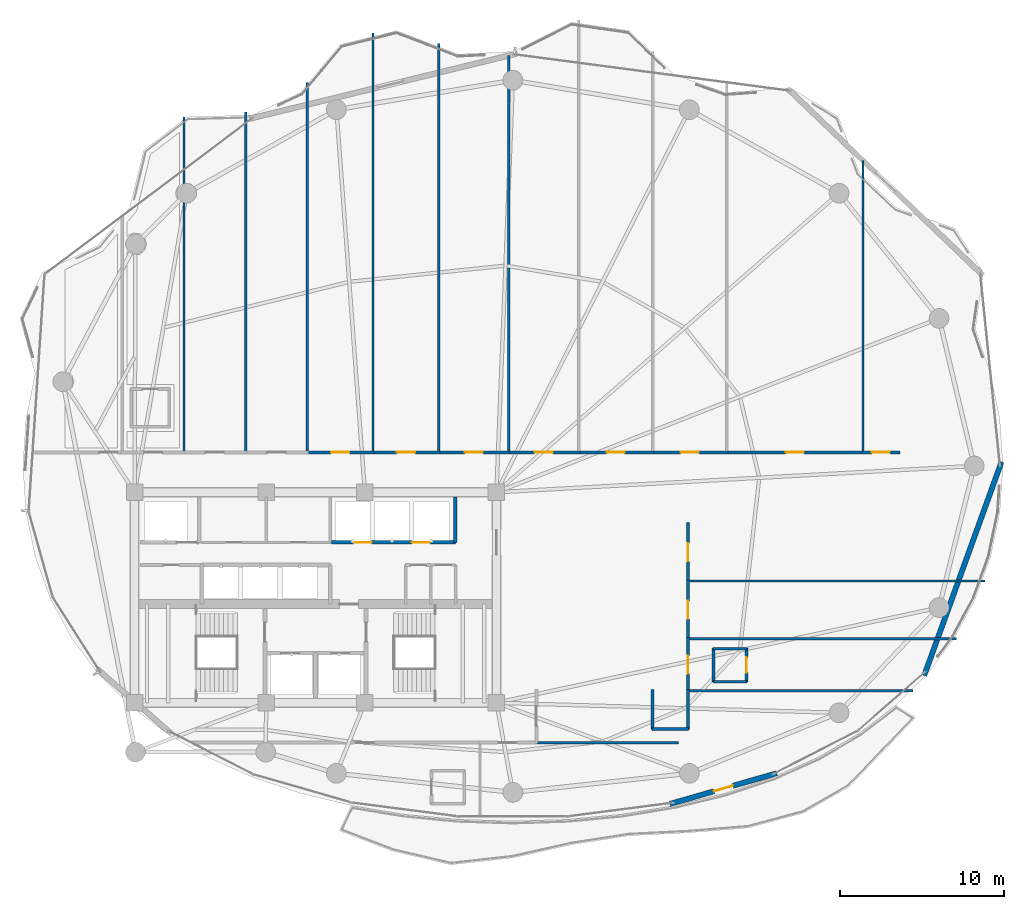
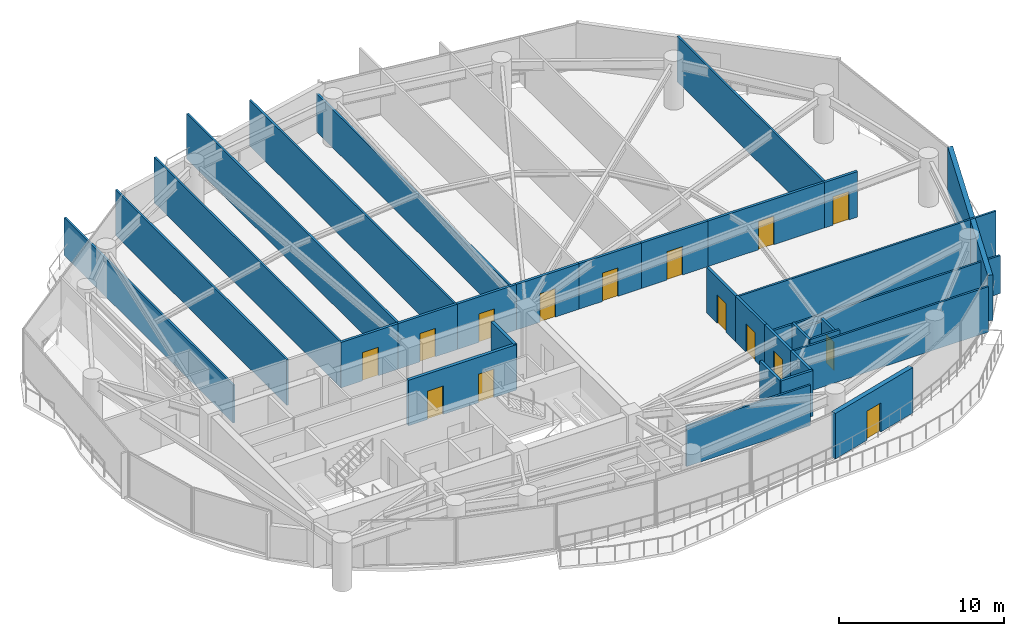
# One storey, part 26 of 31: 33 walls, 15 doors, 15 openings.
"""IFC4 building model written with IfcOpenShell, lengths in metres."""

from ifc_helpers import new_model, si_unit, direction, frame, frame_2d, origin, place, context, subcontext, project, spatial, rectangle, extrude, material, layer, layer_set, type_object, element, fill, save


model = new_model("IFC4")

# Units and contexts
model_context = context("Model", 3, precision=1e-05, world=origin(), true_north=direction((0.0, 1.0)))
body_context = subcontext(model_context, "Body", "Model", "MODEL_VIEW")
ifc_project = project(units=[si_unit("LENGTHUNIT", "METRE"), si_unit("AREAUNIT", "SQUARE_METRE"), si_unit("VOLUMEUNIT", "CUBIC_METRE"), si_unit("PLANEANGLEUNIT", "RADIAN"), si_unit("MASSUNIT", "GRAM", prefix="KILO")], contexts=[model_context])

# Site, building, storey
site_placement = place(None, origin())
site = spatial("IfcSite", under=ifc_project, at=site_placement, CompositionType="ELEMENT")
building_placement = place(site_placement, origin())
building = spatial("IfcBuilding", under=site, at=building_placement, Name="Kazevale Care Tower and Concert Hall", CompositionType="ELEMENT")
storey_placement = place(building_placement, frame((0.0, 0.0, 117.0)))
storey = spatial("IfcBuildingStorey", under=building, at=storey_placement, Name="L30", CompositionType="ELEMENT", Elevation=117.0)

# Walls
ifc_material_1 = material(Name="Acoustic Gypsum on Steel Stud", Category="steel")
ifc_layer_1 = layer(ifc_material_1, 0.139892578125)
ifc_layer_set_1 = layer_set([ifc_layer_1], Name="Acoustic Gypsum on Steel Stud")
wall_type_1 = type_object("IfcWallType", Name="Acoustic Care & Suite Partition 140", PredefinedType="PARTITIONING", material=ifc_layer_set_1)
wall_1_placement = place(storey_placement, frame((25.0, 59.22412109375, 0.0), z_axis=(0.0, 0.0, 1.0), x_axis=(0.0, -1.0, 0.0)))
element("IfcWall", 1, at=wall_1_placement, inside=storey, type_object=wall_type_1, Name="wall:L30:auto_023", PredefinedType="PARTITIONING", context=body_context, shape_type="SweptSolid", body=[
    extrude(rectangle(XDim=20.42919921875, YDim=0.139892578125, at=frame_2d((10.214599609375, 0.0))), origin(), (0.0, 0.0, 1.0), 2.805908203125),
])
wall_2_placement = place(storey_placement, frame((28.75, 59.52587890625, 0.0), z_axis=(0.0, 0.0, 1.0), x_axis=(0.0, -1.0, 0.0)))
element("IfcWall", 2, at=wall_2_placement, inside=storey, type_object=wall_type_1, Name="wall:L30:auto_024", PredefinedType="PARTITIONING", context=body_context, shape_type="SweptSolid", body=[
    extrude(rectangle(XDim=20.73095703125, YDim=0.139892578125, at=frame_2d((10.365478515625, 0.0))), origin(), (0.0, 0.0, 1.0), 3.360107421875),
])
wall_3_placement = place(storey_placement, frame((32.5, 61.318115234375, 0.0), z_axis=(0.0, 0.0, 1.0), x_axis=(0.0, -1.0, 0.0)))
element("IfcWall", 3, at=wall_3_placement, inside=storey, type_object=wall_type_1, Name="wall:L30:auto_025", PredefinedType="PARTITIONING", context=body_context, shape_type="SweptSolid", body=[
    extrude(rectangle(XDim=22.523193359375, YDim=0.139892578125, at=frame_2d((11.26171875, 0.0))), origin(), (0.0, 0.0, 1.0), 3.360107421875),
])
wall_4_placement = place(storey_placement, frame((36.5, 64.31005859375, 0.0), z_axis=(0.0, 0.0, 1.0), x_axis=(0.0, -1.0, 0.0)))
element("IfcWall", 4, at=wall_4_placement, inside=storey, type_object=wall_type_1, Name="wall:L30:auto_026", PredefinedType="PARTITIONING", context=body_context, shape_type="SweptSolid", body=[
    extrude(rectangle(XDim=25.51513671875, YDim=0.139892578125, at=frame_2d((12.757568359375, 0.0))), origin(), (0.0, 0.0, 1.0), 3.360107421875),
])
wall_5_placement = place(storey_placement, frame((40.5, 63.674072265625, 0.0), z_axis=(0.0, 0.0, 1.0), x_axis=(0.0, -1.0, 0.0)))
element("IfcWall", 5, at=wall_5_placement, inside=storey, type_object=wall_type_1, Name="wall:L30:auto_027", PredefinedType="PARTITIONING", context=body_context, shape_type="SweptSolid", body=[
    extrude(rectangle(XDim=24.879150390625, YDim=0.139892578125, at=frame_2d((12.439453125, 0.0))), origin(), (0.0, 0.0, 1.0), 3.360107421875),
])
wall_6_placement = place(storey_placement, frame((44.75, 62.939453125, 0.0), z_axis=(0.0, 0.0, 1.0), x_axis=(0.0, -1.0, 0.0)))
element("IfcWall", 6, at=wall_6_placement, inside=storey, type_object=wall_type_1, Name="wall:L30:auto_028", PredefinedType="PARTITIONING", context=body_context, shape_type="SweptSolid", body=[
    extrude(rectangle(XDim=24.14453125, YDim=0.139892578125, at=frame_2d((12.072265625, 0.0))), origin(), (0.0, 0.0, 1.0), 2.805908203125),
])
wall_7_placement = place(storey_placement, frame((66.280029296875, 56.5556640625, 0.0), z_axis=(0.0, 0.0, 1.0), x_axis=(0.0, -1.0, 0.0)))
element("IfcWall", 7, at=wall_7_placement, inside=storey, type_object=wall_type_1, Name="wall:L30:auto_032", PredefinedType="PARTITIONING", context=body_context, shape_type="SweptSolid", body=[
    extrude(rectangle(XDim=17.7607421875, YDim=0.139892578125, at=frame_2d((8.88037109375, 0.0))), origin(), (0.0, 0.0, 1.0), 3.360107421875),
])
wall_8_placement = place(storey_placement, frame((55.6201171875, 24.340087890625, 0.0), z_axis=(0.0, 0.0, 1.0), x_axis=(1.0, 0.0, 0.0)))
element("IfcWall", 8, at=wall_8_placement, inside=storey, type_object=wall_type_1, Name="wall:L30:auto_033", PredefinedType="PARTITIONING", context=body_context, shape_type="SweptSolid", body=[
    extrude(rectangle(XDim=13.69580078125, YDim=0.139892578125, at=frame_2d((6.847900390625, 0.0))), origin(), (0.0, 0.0, 1.0), 3.360107421875),
])
wall_9_placement = place(storey_placement, frame((55.06494140625, 21.175048828125, 0.0), z_axis=(0.0, 0.0, 1.0), x_axis=(-1.0, 0.0, 0.0)))
element("IfcWall", 9, at=wall_9_placement, inside=storey, type_object=wall_type_1, Name="wall:L30:auto_034", PredefinedType="PARTITIONING", context=body_context, shape_type="SweptSolid", body=[
    extrude(rectangle(XDim=8.669921875, YDim=0.139892578125, at=frame_2d((4.3349609375, 0.0))), origin(), (0.0, 0.0, 1.0), 2.99609375),
])
wall_10_placement = place(storey_placement, frame((55.6201171875, 27.5, 0.0), z_axis=(0.0, 0.0, 1.0), x_axis=(1.0, 0.0, 0.0)))
element("IfcWall", 10, at=wall_10_placement, inside=storey, type_object=wall_type_1, Name="wall:L30:auto_035", PredefinedType="PARTITIONING", context=body_context, shape_type="SweptSolid", body=[
    extrude(rectangle(XDim=16.345947265625, YDim=0.139892578125, at=frame_2d((8.1728515625, 0.0))), origin(), (0.0, 0.0, 1.0), 2.805908203125),
])
wall_11_placement = place(storey_placement, frame((55.6201171875, 31.0, 0.0), z_axis=(0.0, 0.0, 1.0), x_axis=(1.0, 0.0, 0.0)))
element("IfcWall", 11, at=wall_11_placement, inside=storey, type_object=wall_type_1, Name="wall:L30:auto_036", PredefinedType="PARTITIONING", context=body_context, shape_type="SweptSolid", body=[
    extrude(rectangle(XDim=18.082763671875, YDim=0.139892578125, at=frame_2d((9.04150390625, 0.0))), origin(), (0.0, 0.0, 1.0), 3.360107421875),
])

# Wall, openings, doors
ifc_material_2 = material(Name="Concrete C40", Category="concrete")
ifc_layer_2 = layer(ifc_material_2, 0.219970703125)
ifc_layer_set_2 = layer_set([ifc_layer_2], Name="Concrete C40")
wall_type_2 = type_object("IfcWallType", Name="Elevator Hoistway Shaft Wall 220", PredefinedType="SOLIDWALL", material=ifc_layer_set_2)
wall_12_placement = place(storey_placement, frame((33.97998046875, 33.35009765625, 0.0), z_axis=(0.0, 0.0, 1.0), x_axis=(1.0, 0.0, 0.0)))
wall_12 = element("IfcWall", 12, at=wall_12_placement, inside=storey, type_object=wall_type_2, Name="wall:L30:c_pm_s", PredefinedType="SOLIDWALL", context=body_context, shape_type="SweptSolid", body=[
    extrude(rectangle(XDim=7.5400390625, YDim=0.219970703125, at=frame_2d((3.77001953125, 0.0))), origin(), (0.0, 0.0, 1.0), 3.360107421875),
])
opening_1_placement = place(wall_12_placement, frame((1.3349609375, 0.0, 0.0)))
opening_1 = element("IfcOpeningElement", 13, at=opening_1_placement, cuts=wall_12, Name="Opening LD-PAX", PredefinedType="OPENING", context=body_context, shape_type="SweptSolid", body=[
    extrude(rectangle(XDim=1.10009765625, YDim=2.10009765625, at=frame_2d((0.550048828125, 1.050048828125))), frame((0.0, 0.119873046875, 0.0), z_axis=(0.0, -1.0, 0.0), x_axis=(1.0, 0.0, 0.0)), (0.0, 0.0, 1.0), 0.239990234375),
])
opening_2_placement = place(wall_12_placement, frame((4.87890625, 0.0, 0.0)))
opening_2 = element("IfcOpeningElement", 14, at=opening_2_placement, cuts=wall_12, Name="Opening LD-PAX", PredefinedType="OPENING", context=body_context, shape_type="SweptSolid", body=[
    extrude(rectangle(XDim=1.10009765625, YDim=2.10009765625, at=frame_2d((0.550048828125, 1.050048828125))), frame((0.0, 0.119873046875, 0.0), z_axis=(0.0, -1.0, 0.0), x_axis=(1.0, 0.0, 0.0)), (0.0, 0.0, 1.0), 0.239990234375),
])
ifc_material_3 = material(Name="Stainless Steel 316", Category="steel")
door_type_1 = type_object("IfcDoorType", Name="Passenger Lift Sliding Landing Door 1100x2100", OperationType="NOTDEFINED", PredefinedType="DOOR", material=ifc_material_3)
door_1_placement = place(opening_1_placement, origin())
door_1 = element("IfcDoor", 15, at=door_1_placement, inside=storey, type_object=door_type_1, Name="door:L30:ld_pm1", OperationType="SLIDING_TO_LEFT", OverallHeight=2.10009765625, OverallWidth=1.10009765625, PredefinedType="DOOR", context=body_context, shape_type="SweptSolid", body=[
    extrude(rectangle(XDim=1.10009765625, YDim=2.10009765625, at=frame_2d((0.550048828125, 1.050048828125))), frame((0.0, 0.02490234375, 0.0), z_axis=(0.0, -1.0, 0.0), x_axis=(1.0, 0.0, 0.0)), (0.0, 0.0, 1.0), 0.050048828125),
])
fill(opening_1, door_1)
door_2_placement = place(opening_2_placement, origin())
door_2 = element("IfcDoor", 16, at=door_2_placement, inside=storey, type_object=door_type_1, Name="door:L30:ld_pm2", OperationType="SLIDING_TO_RIGHT", OverallHeight=2.10009765625, OverallWidth=1.10009765625, PredefinedType="DOOR", context=body_context, shape_type="SweptSolid", body=[
    extrude(rectangle(XDim=1.10009765625, YDim=2.10009765625, at=frame_2d((0.550048828125, 1.050048828125))), frame((0.0, 0.02490234375, 0.0), z_axis=(0.0, -1.0, 0.0), x_axis=(1.0, 0.0, 0.0)), (0.0, 0.0, 1.0), 0.050048828125),
])
fill(opening_2, door_2)

# Wall
wall_13_placement = place(storey_placement, frame((41.5, 33.35009765625, 0.0), z_axis=(0.0, 0.0, 1.0), x_axis=(0.0, 1.0, 0.0)))
element("IfcWall", 17, at=wall_13_placement, inside=storey, type_object=wall_type_2, Name="wall:L30:c_pm_e", PredefinedType="SOLIDWALL", context=body_context, shape_type="SweptSolid", body=[
    extrude(rectangle(XDim=2.75, YDim=0.219970703125, at=frame_2d((1.375, 0.0))), origin(), (0.0, 0.0, 1.0), 3.360107421875),
])

# Wall, opening, door
ifc_material_4 = material(Name="Concrete C40 and Acoustic Gypsum", Category="concrete")
ifc_layer_3 = layer(ifc_material_4, 0.179931640625)
ifc_layer_set_3 = layer_set([ifc_layer_3], Name="Concrete C40 and Acoustic Gypsum")
wall_type_3 = type_object("IfcWallType", Name="Fire-Rated Corridor & Party Wall 180", PredefinedType="PARTITIONING", material=ifc_layer_set_3)
wall_14_placement = place(storey_placement, frame((32.43505859375, 38.824951171875, 0.0), z_axis=(0.0, 0.0, 1.0), x_axis=(1.0, 0.0, 0.0)))
wall_14 = element("IfcWall", 18, at=wall_14_placement, inside=storey, type_object=wall_type_3, Name="wall:L30:auto_005", PredefinedType="PARTITIONING", context=body_context, shape_type="SweptSolid", body=[
    extrude(rectangle(XDim=4.1298828125, YDim=0.179931640625, at=frame_2d((2.06494140625, 0.0))), origin(), (0.0, 0.0, 1.0), 3.360107421875),
])
opening_3_placement = place(wall_14_placement, frame((1.514892578125, 0.0, 0.0)))
opening_3 = element("IfcOpeningElement", 19, at=opening_3_placement, cuts=wall_14, Name="Opening ID-1100", PredefinedType="OPENING", context=body_context, shape_type="SweptSolid", body=[
    extrude(rectangle(XDim=1.10009765625, YDim=2.10009765625, at=frame_2d((0.550048828125, 1.050048828125))), frame((0.0, 0.099853515625, 0.0), z_axis=(0.0, -1.0, 0.0), x_axis=(1.0, 0.0, 0.0)), (0.0, 0.0, 1.0), 0.199951171875),
])
ifc_material_5 = material(Name="Oak Timber Fire Leaf", Category="wood")
door_type_2 = type_object("IfcDoorType", Name="Care Bedroom Accessible Door 1100x2100", OperationType="NOTDEFINED", PredefinedType="DOOR", material=ifc_material_5)
door_3_placement = place(opening_3_placement, origin())
door_3 = element("IfcDoor", 20, at=door_3_placement, inside=storey, type_object=door_type_2, Name="door:L30:ad_005", OperationType="SINGLE_SWING_LEFT", OverallHeight=2.10009765625, OverallWidth=1.10009765625, PredefinedType="DOOR", context=body_context, shape_type="SweptSolid", body=[
    extrude(rectangle(XDim=1.10009765625, YDim=2.10009765625, at=frame_2d((0.550048828125, 1.050048828125))), frame((0.0, 0.02490234375, 0.0), z_axis=(0.0, -1.0, 0.0), x_axis=(1.0, 0.0, 0.0)), (0.0, 0.0, 1.0), 0.050048828125),
])
fill(opening_3, door_3)

wall_15_placement = place(storey_placement, frame((36.43505859375, 38.824951171875, 0.0), z_axis=(0.0, 0.0, 1.0), x_axis=(1.0, 0.0, 0.0)))
wall_15 = element("IfcWall", 21, at=wall_15_placement, inside=storey, type_object=wall_type_3, Name="wall:L30:auto_006", PredefinedType="PARTITIONING", context=body_context, shape_type="SweptSolid", body=[
    extrude(rectangle(XDim=4.1298828125, YDim=0.179931640625, at=frame_2d((2.06494140625, 0.0))), origin(), (0.0, 0.0, 1.0), 3.360107421875),
])
opening_4_placement = place(wall_15_placement, frame((1.514892578125, 0.0, 0.0)))
opening_4 = element("IfcOpeningElement", 22, at=opening_4_placement, cuts=wall_15, Name="Opening ID-1100", PredefinedType="OPENING", context=body_context, shape_type="SweptSolid", body=[
    extrude(rectangle(XDim=1.10009765625, YDim=2.10009765625, at=frame_2d((0.550048828125, 1.050048828125))), frame((0.0, 0.099853515625, 0.0), z_axis=(0.0, -1.0, 0.0), x_axis=(1.0, 0.0, 0.0)), (0.0, 0.0, 1.0), 0.199951171875),
])
door_4_placement = place(opening_4_placement, origin())
door_4 = element("IfcDoor", 23, at=door_4_placement, inside=storey, type_object=door_type_2, Name="door:L30:ad_006", OperationType="SINGLE_SWING_LEFT", OverallHeight=2.10009765625, OverallWidth=1.10009765625, PredefinedType="DOOR", context=body_context, shape_type="SweptSolid", body=[
    extrude(rectangle(XDim=1.10009765625, YDim=2.10009765625, at=frame_2d((0.550048828125, 1.050048828125))), frame((0.0, 0.02490234375, 0.0), z_axis=(0.0, -1.0, 0.0), x_axis=(1.0, 0.0, 0.0)), (0.0, 0.0, 1.0), 0.050048828125),
])
fill(opening_4, door_4)

wall_16_placement = place(storey_placement, frame((40.43505859375, 38.824951171875, 0.0), z_axis=(0.0, 0.0, 1.0), x_axis=(1.0, 0.0, 0.0)))
wall_16 = element("IfcWall", 24, at=wall_16_placement, inside=storey, type_object=wall_type_3, Name="wall:L30:auto_007", PredefinedType="PARTITIONING", context=body_context, shape_type="SweptSolid", body=[
    extrude(rectangle(XDim=4.3798828125, YDim=0.179931640625, at=frame_2d((2.18994140625, 0.0))), origin(), (0.0, 0.0, 1.0), 3.360107421875),
])
opening_5_placement = place(wall_16_placement, frame((1.639892578125, 0.0, 0.0)))
opening_5 = element("IfcOpeningElement", 25, at=opening_5_placement, cuts=wall_16, Name="Opening ID-1100", PredefinedType="OPENING", context=body_context, shape_type="SweptSolid", body=[
    extrude(rectangle(XDim=1.10009765625, YDim=2.10009765625, at=frame_2d((0.550048828125, 1.050048828125))), frame((0.0, 0.099853515625, 0.0), z_axis=(0.0, -1.0, 0.0), x_axis=(1.0, 0.0, 0.0)), (0.0, 0.0, 1.0), 0.199951171875),
])
door_5_placement = place(opening_5_placement, origin())
door_5 = element("IfcDoor", 26, at=door_5_placement, inside=storey, type_object=door_type_2, Name="door:L30:ad_007", OperationType="SINGLE_SWING_LEFT", OverallHeight=2.10009765625, OverallWidth=1.10009765625, PredefinedType="DOOR", context=body_context, shape_type="SweptSolid", body=[
    extrude(rectangle(XDim=1.10009765625, YDim=2.10009765625, at=frame_2d((0.550048828125, 1.050048828125))), frame((0.0, 0.02490234375, 0.0), z_axis=(0.0, -1.0, 0.0), x_axis=(1.0, 0.0, 0.0)), (0.0, 0.0, 1.0), 0.050048828125),
])
fill(opening_5, door_5)

wall_17_placement = place(storey_placement, frame((44.68505859375, 38.824951171875, 0.0), z_axis=(0.0, 0.0, 1.0), x_axis=(1.0, 0.0, 0.0)))
wall_17 = element("IfcWall", 27, at=wall_17_placement, inside=storey, type_object=wall_type_3, Name="wall:L30:auto_008", PredefinedType="PARTITIONING", context=body_context, shape_type="SweptSolid", body=[
    extrude(rectangle(XDim=4.3798828125, YDim=0.179931640625, at=frame_2d((2.18994140625, 0.0))), origin(), (0.0, 0.0, 1.0), 3.360107421875),
])
opening_6_placement = place(wall_17_placement, frame((1.639892578125, 0.0, 0.0)))
opening_6 = element("IfcOpeningElement", 28, at=opening_6_placement, cuts=wall_17, Name="Opening ID-1100", PredefinedType="OPENING", context=body_context, shape_type="SweptSolid", body=[
    extrude(rectangle(XDim=1.10009765625, YDim=2.10009765625, at=frame_2d((0.550048828125, 1.050048828125))), frame((0.0, 0.099853515625, 0.0), z_axis=(0.0, -1.0, 0.0), x_axis=(1.0, 0.0, 0.0)), (0.0, 0.0, 1.0), 0.199951171875),
])
door_6_placement = place(opening_6_placement, origin())
door_6 = element("IfcDoor", 29, at=door_6_placement, inside=storey, type_object=door_type_2, Name="door:L30:ad_008", OperationType="SINGLE_SWING_LEFT", OverallHeight=2.10009765625, OverallWidth=1.10009765625, PredefinedType="DOOR", context=body_context, shape_type="SweptSolid", body=[
    extrude(rectangle(XDim=1.10009765625, YDim=2.10009765625, at=frame_2d((0.550048828125, 1.050048828125))), frame((0.0, 0.02490234375, 0.0), z_axis=(0.0, -1.0, 0.0), x_axis=(1.0, 0.0, 0.0)), (0.0, 0.0, 1.0), 0.050048828125),
])
fill(opening_6, door_6)

wall_18_placement = place(storey_placement, frame((48.93505859375, 38.824951171875, 0.0), z_axis=(0.0, 0.0, 1.0), x_axis=(1.0, 0.0, 0.0)))
wall_18 = element("IfcWall", 30, at=wall_18_placement, inside=storey, type_object=wall_type_3, Name="wall:L30:auto_009", PredefinedType="PARTITIONING", context=body_context, shape_type="SweptSolid", body=[
    extrude(rectangle(XDim=4.6298828125, YDim=0.179931640625, at=frame_2d((2.31494140625, 0.0))), origin(), (0.0, 0.0, 1.0), 3.360107421875),
])
opening_7_placement = place(wall_18_placement, frame((1.764892578125, 0.0, 0.0)))
opening_7 = element("IfcOpeningElement", 31, at=opening_7_placement, cuts=wall_18, Name="Opening ID-1100", PredefinedType="OPENING", context=body_context, shape_type="SweptSolid", body=[
    extrude(rectangle(XDim=1.10009765625, YDim=2.10009765625, at=frame_2d((0.550048828125, 1.050048828125))), frame((0.0, 0.099853515625, 0.0), z_axis=(0.0, -1.0, 0.0), x_axis=(1.0, 0.0, 0.0)), (0.0, 0.0, 1.0), 0.199951171875),
])
door_7_placement = place(opening_7_placement, origin())
door_7 = element("IfcDoor", 32, at=door_7_placement, inside=storey, type_object=door_type_2, Name="door:L30:ad_009", OperationType="SINGLE_SWING_LEFT", OverallHeight=2.10009765625, OverallWidth=1.10009765625, PredefinedType="DOOR", context=body_context, shape_type="SweptSolid", body=[
    extrude(rectangle(XDim=1.10009765625, YDim=2.10009765625, at=frame_2d((0.550048828125, 1.050048828125))), frame((0.0, 0.02490234375, 0.0), z_axis=(0.0, -1.0, 0.0), x_axis=(1.0, 0.0, 0.0)), (0.0, 0.0, 1.0), 0.050048828125),
])
fill(opening_7, door_7)

wall_19_placement = place(storey_placement, frame((53.43505859375, 38.824951171875, 0.0), z_axis=(0.0, 0.0, 1.0), x_axis=(1.0, 0.0, 0.0)))
wall_19 = element("IfcWall", 33, at=wall_19_placement, inside=storey, type_object=wall_type_3, Name="wall:L30:auto_010", PredefinedType="PARTITIONING", context=body_context, shape_type="SweptSolid", body=[
    extrude(rectangle(XDim=4.6298828125, YDim=0.179931640625, at=frame_2d((2.31494140625, 0.0))), origin(), (0.0, 0.0, 1.0), 3.360107421875),
])
opening_8_placement = place(wall_19_placement, frame((1.764892578125, 0.0, 0.0)))
opening_8 = element("IfcOpeningElement", 34, at=opening_8_placement, cuts=wall_19, Name="Opening ID-1100", PredefinedType="OPENING", context=body_context, shape_type="SweptSolid", body=[
    extrude(rectangle(XDim=1.10009765625, YDim=2.10009765625, at=frame_2d((0.550048828125, 1.050048828125))), frame((0.0, 0.099853515625, 0.0), z_axis=(0.0, -1.0, 0.0), x_axis=(1.0, 0.0, 0.0)), (0.0, 0.0, 1.0), 0.199951171875),
])
door_8_placement = place(opening_8_placement, origin())
door_8 = element("IfcDoor", 35, at=door_8_placement, inside=storey, type_object=door_type_2, Name="door:L30:ad_010", OperationType="SINGLE_SWING_LEFT", OverallHeight=2.10009765625, OverallWidth=1.10009765625, PredefinedType="DOOR", context=body_context, shape_type="SweptSolid", body=[
    extrude(rectangle(XDim=1.10009765625, YDim=2.10009765625, at=frame_2d((0.550048828125, 1.050048828125))), frame((0.0, 0.02490234375, 0.0), z_axis=(0.0, -1.0, 0.0), x_axis=(1.0, 0.0, 0.0)), (0.0, 0.0, 1.0), 0.050048828125),
])
fill(opening_8, door_8)

wall_20_placement = place(storey_placement, frame((57.93505859375, 38.824951171875, 0.0), z_axis=(0.0, 0.0, 1.0), x_axis=(1.0, 0.0, 0.0)))
wall_20 = element("IfcWall", 36, at=wall_20_placement, inside=storey, type_object=wall_type_3, Name="wall:L30:auto_011", PredefinedType="PARTITIONING", context=body_context, shape_type="SweptSolid", body=[
    extrude(rectangle(XDim=8.409912109375, YDim=0.179931640625, at=frame_2d((4.205078125, 0.0))), origin(), (0.0, 0.0, 1.0), 3.360107421875),
])
opening_9_placement = place(wall_20_placement, frame((3.655029296875, 0.0, 0.0)))
opening_9 = element("IfcOpeningElement", 37, at=opening_9_placement, cuts=wall_20, Name="Opening ID-1100", PredefinedType="OPENING", context=body_context, shape_type="SweptSolid", body=[
    extrude(rectangle(XDim=1.10009765625, YDim=2.10009765625, at=frame_2d((0.550048828125, 1.050048828125))), frame((0.0, 0.099853515625, 0.0), z_axis=(0.0, -1.0, 0.0), x_axis=(1.0, 0.0, 0.0)), (0.0, 0.0, 1.0), 0.199951171875),
])
door_9_placement = place(opening_9_placement, origin())
door_9 = element("IfcDoor", 38, at=door_9_placement, inside=storey, type_object=door_type_2, Name="door:L30:ad_011", OperationType="SINGLE_SWING_LEFT", OverallHeight=2.10009765625, OverallWidth=1.10009765625, PredefinedType="DOOR", context=body_context, shape_type="SweptSolid", body=[
    extrude(rectangle(XDim=1.10009765625, YDim=2.10009765625, at=frame_2d((0.550048828125, 1.050048828125))), frame((0.0, 0.02490234375, 0.0), z_axis=(0.0, -1.0, 0.0), x_axis=(1.0, 0.0, 0.0)), (0.0, 0.0, 1.0), 0.050048828125),
])
fill(opening_9, door_9)

wall_21_placement = place(storey_placement, frame((66.215087890625, 38.824951171875, 0.0), z_axis=(0.0, 0.0, 1.0), x_axis=(1.0, 0.0, 0.0)))
wall_21 = element("IfcWall", 39, at=wall_21_placement, inside=storey, type_object=wall_type_3, Name="wall:L30:auto_012", PredefinedType="PARTITIONING", context=body_context, shape_type="SweptSolid", body=[
    extrude(rectangle(XDim=2.31494140625, YDim=0.179931640625, at=frame_2d((1.157470703125, 0.0))), origin(), (0.0, 0.0, 1.0), 3.360107421875),
])
opening_10_placement = place(wall_21_placement, frame((0.60693359375, 0.0, 0.0)))
opening_10 = element("IfcOpeningElement", 40, at=opening_10_placement, cuts=wall_21, Name="Opening ID-1100", PredefinedType="OPENING", context=body_context, shape_type="SweptSolid", body=[
    extrude(rectangle(XDim=1.10009765625, YDim=2.10009765625, at=frame_2d((0.550048828125, 1.050048828125))), frame((0.0, 0.099853515625, 0.0), z_axis=(0.0, -1.0, 0.0), x_axis=(1.0, 0.0, 0.0)), (0.0, 0.0, 1.0), 0.199951171875),
])
door_10_placement = place(opening_10_placement, origin())
door_10 = element("IfcDoor", 41, at=door_10_placement, inside=storey, type_object=door_type_2, Name="door:L30:ad_012", OperationType="SINGLE_SWING_LEFT", OverallHeight=2.10009765625, OverallWidth=1.10009765625, PredefinedType="DOOR", context=body_context, shape_type="SweptSolid", body=[
    extrude(rectangle(XDim=1.10009765625, YDim=2.10009765625, at=frame_2d((0.550048828125, 1.050048828125))), frame((0.0, 0.02490234375, 0.0), z_axis=(0.0, -1.0, 0.0), x_axis=(1.0, 0.0, 0.0)), (0.0, 0.0, 1.0), 0.050048828125),
])
fill(opening_10, door_10)

# Walls
for number, where, z_axis, x_axis, name in (
    (42, (55.64990234375, 24.405029296875, 0.0), (0.0, 0.0, 1.0), (0.0, -1.0, 0.0), "wall:L30:auto_014"),
    (43, (53.5, 21.969970703125, 0.0), (0.0, 0.0, 1.0), (0.0, 1.0, 0.0), "wall:L30:auto_015"),
):
    element("IfcWall", number, at=place(storey_placement, frame(where, z_axis=z_axis, x_axis=x_axis)), inside=storey, type_object=wall_type_3, Name=name, PredefinedType="PARTITIONING", context=body_context, shape_type="SweptSolid", body=[
        extrude(rectangle(XDim=2.43505859375, YDim=0.179931640625, at=frame_2d((1.217529296875, 0.0))), origin(), (0.0, 0.0, 1.0), 3.360107421875),
    ])
wall_22_placement = place(storey_placement, frame((55.679931640625, 22.0, 0.0), z_axis=(0.0, 0.0, 1.0), x_axis=(-1.0, 0.0, 0.0)))
element("IfcWall", 44, at=wall_22_placement, inside=storey, type_object=wall_type_3, Name="wall:L30:auto_016", PredefinedType="PARTITIONING", context=body_context, shape_type="SweptSolid", body=[
    extrude(rectangle(XDim=2.2099609375, YDim=0.179931640625, at=frame_2d((1.10498046875, 0.0))), origin(), (0.0, 0.0, 1.0), 3.360107421875),
])

# Wall, opening, door
wall_23_placement = place(storey_placement, frame((55.64990234375, 27.56494140625, 0.0), z_axis=(0.0, 0.0, 1.0), x_axis=(0.0, -1.0, 0.0)))
wall_23 = element("IfcWall", 45, at=wall_23_placement, inside=storey, type_object=wall_type_3, Name="wall:L30:auto_017", PredefinedType="PARTITIONING", context=body_context, shape_type="SweptSolid", body=[
    extrude(rectangle(XDim=3.2900390625, YDim=0.179931640625, at=frame_2d((1.64501953125, 0.0))), origin(), (0.0, 0.0, 1.0), 3.360107421875),
])
opening_11_placement = place(wall_23_placement, frame((1.094970703125, 0.0, 0.0)))
opening_11 = element("IfcOpeningElement", 46, at=opening_11_placement, cuts=wall_23, Name="Opening ID-1100", PredefinedType="OPENING", context=body_context, shape_type="SweptSolid", body=[
    extrude(rectangle(XDim=1.10009765625, YDim=2.10009765625, at=frame_2d((0.550048828125, 1.050048828125))), frame((0.0, 0.099853515625, 0.0), z_axis=(0.0, -1.0, 0.0), x_axis=(1.0, 0.0, 0.0)), (0.0, 0.0, 1.0), 0.199951171875),
])
door_11_placement = place(opening_11_placement, origin())
door_11 = element("IfcDoor", 47, at=door_11_placement, inside=storey, type_object=door_type_2, Name="door:L30:ad_017", OperationType="SINGLE_SWING_LEFT", OverallHeight=2.10009765625, OverallWidth=1.10009765625, PredefinedType="DOOR", context=body_context, shape_type="SweptSolid", body=[
    extrude(rectangle(XDim=1.10009765625, YDim=2.10009765625, at=frame_2d((0.550048828125, 1.050048828125))), frame((0.0, 0.02490234375, 0.0), z_axis=(0.0, -1.0, 0.0), x_axis=(1.0, 0.0, 0.0)), (0.0, 0.0, 1.0), 0.050048828125),
])
fill(opening_11, door_11)

wall_24_placement = place(storey_placement, frame((55.64990234375, 31.06494140625, 0.0), z_axis=(0.0, 0.0, 1.0), x_axis=(0.0, -1.0, 0.0)))
wall_24 = element("IfcWall", 48, at=wall_24_placement, inside=storey, type_object=wall_type_3, Name="wall:L30:auto_018", PredefinedType="PARTITIONING", context=body_context, shape_type="SweptSolid", body=[
    extrude(rectangle(XDim=3.6298828125, YDim=0.179931640625, at=frame_2d((1.81494140625, 0.0))), origin(), (0.0, 0.0, 1.0), 3.360107421875),
])
opening_12_placement = place(wall_24_placement, frame((1.264892578125, 0.0, 0.0)))
opening_12 = element("IfcOpeningElement", 49, at=opening_12_placement, cuts=wall_24, Name="Opening ID-1100", PredefinedType="OPENING", context=body_context, shape_type="SweptSolid", body=[
    extrude(rectangle(XDim=1.10009765625, YDim=2.10009765625, at=frame_2d((0.550048828125, 1.050048828125))), frame((0.0, 0.099853515625, 0.0), z_axis=(0.0, -1.0, 0.0), x_axis=(1.0, 0.0, 0.0)), (0.0, 0.0, 1.0), 0.199951171875),
])
door_12_placement = place(opening_12_placement, origin())
door_12 = element("IfcDoor", 50, at=door_12_placement, inside=storey, type_object=door_type_2, Name="door:L30:ad_018", OperationType="SINGLE_SWING_LEFT", OverallHeight=2.10009765625, OverallWidth=1.10009765625, PredefinedType="DOOR", context=body_context, shape_type="SweptSolid", body=[
    extrude(rectangle(XDim=1.10009765625, YDim=2.10009765625, at=frame_2d((0.550048828125, 1.050048828125))), frame((0.0, 0.02490234375, 0.0), z_axis=(0.0, -1.0, 0.0), x_axis=(1.0, 0.0, 0.0)), (0.0, 0.0, 1.0), 0.050048828125),
])
fill(opening_12, door_12)

wall_25_placement = place(storey_placement, frame((55.64990234375, 34.56494140625, 0.0), z_axis=(0.0, 0.0, 1.0), x_axis=(0.0, -1.0, 0.0)))
wall_25 = element("IfcWall", 51, at=wall_25_placement, inside=storey, type_object=wall_type_3, Name="wall:L30:auto_019", PredefinedType="PARTITIONING", context=body_context, shape_type="SweptSolid", body=[
    extrude(rectangle(XDim=3.6298828125, YDim=0.179931640625, at=frame_2d((1.81494140625, 0.0))), origin(), (0.0, 0.0, 1.0), 3.360107421875),
])
opening_13_placement = place(wall_25_placement, frame((1.264892578125, 0.0, 0.0)))
opening_13 = element("IfcOpeningElement", 52, at=opening_13_placement, cuts=wall_25, Name="Opening ID-1100", PredefinedType="OPENING", context=body_context, shape_type="SweptSolid", body=[
    extrude(rectangle(XDim=1.10009765625, YDim=2.10009765625, at=frame_2d((0.550048828125, 1.050048828125))), frame((0.0, 0.099853515625, 0.0), z_axis=(0.0, -1.0, 0.0), x_axis=(1.0, 0.0, 0.0)), (0.0, 0.0, 1.0), 0.199951171875),
])
door_13_placement = place(opening_13_placement, origin())
door_13 = element("IfcDoor", 53, at=door_13_placement, inside=storey, type_object=door_type_2, Name="door:L30:ad_019", OperationType="SINGLE_SWING_LEFT", OverallHeight=2.10009765625, OverallWidth=1.10009765625, PredefinedType="DOOR", context=body_context, shape_type="SweptSolid", body=[
    extrude(rectangle(XDim=1.10009765625, YDim=2.10009765625, at=frame_2d((0.550048828125, 1.050048828125))), frame((0.0, 0.02490234375, 0.0), z_axis=(0.0, -1.0, 0.0), x_axis=(1.0, 0.0, 0.0)), (0.0, 0.0, 1.0), 0.050048828125),
])
fill(opening_13, door_13)

# Walls
ifc_layer_4 = layer(ifc_material_1, 0.159912109375)
ifc_layer_set_4 = layer_set([ifc_layer_4], Name="Acoustic Gypsum on Steel Stud")
wall_type_4 = type_object("IfcWallType", Name="Moisture-Resistant Bathroom Plumbing Wall 160", PredefinedType="PLUMBINGWALL", material=ifc_layer_set_4)
wall_26_placement = place(storey_placement, frame((57.159912109375, 24.889892578125, 0.0), z_axis=(0.0, 0.0, 1.0), x_axis=(1.0, 0.0, 0.0)))
element("IfcWall", 54, at=wall_26_placement, inside=storey, type_object=wall_type_4, Name="wall:L30:eb1b_ens_ws", PredefinedType="PLUMBINGWALL", context=body_context, shape_type="SweptSolid", body=[
    extrude(rectangle(XDim=2.080078125, YDim=0.159912109375, at=frame_2d((1.0400390625, 0.0))), origin(), (0.0, 0.0, 1.0), 3.360107421875),
])
wall_27_placement = place(storey_placement, frame((57.159912109375, 26.889892578125, 0.0), z_axis=(0.0, 0.0, 1.0), x_axis=(1.0, 0.0, 0.0)))
element("IfcWall", 55, at=wall_27_placement, inside=storey, type_object=wall_type_4, Name="wall:L30:eb1b_ens_wn", PredefinedType="PLUMBINGWALL", context=body_context, shape_type="SweptSolid", body=[
    extrude(rectangle(XDim=2.080078125, YDim=0.159912109375, at=frame_2d((1.0400390625, 0.0))), origin(), (0.0, 0.0, 1.0), 2.805908203125),
])
wall_28_placement = place(storey_placement, frame((57.199951171875, 24.85009765625, 0.0), z_axis=(0.0, 0.0, 1.0), x_axis=(0.0, 1.0, 0.0)))
element("IfcWall", 56, at=wall_28_placement, inside=storey, type_object=wall_type_4, Name="wall:L30:eb1b_ens_ww", PredefinedType="PLUMBINGWALL", context=body_context, shape_type="SweptSolid", body=[
    extrude(rectangle(XDim=2.079833984375, YDim=0.159912109375, at=frame_2d((1.0400390625, 0.0))), origin(), (0.0, 0.0, 1.0), 3.360107421875),
])

# Wall, opening, door
wall_29_placement = place(storey_placement, frame((59.199951171875, 24.85009765625, 0.0), z_axis=(0.0, 0.0, 1.0), x_axis=(0.0, 1.0, 0.0)))
wall_29 = element("IfcWall", 57, at=wall_29_placement, inside=storey, type_object=wall_type_4, Name="wall:L30:eb1b_ens_we", PredefinedType="PLUMBINGWALL", context=body_context, shape_type="SweptSolid", body=[
    extrude(rectangle(XDim=2.079833984375, YDim=0.159912109375, at=frame_2d((1.0400390625, 0.0))), origin(), (0.0, 0.0, 1.0), 2.99609375),
])
opening_14_placement = place(wall_29_placement, frame((0.590087890625, 0.0, 0.0)))
opening_14 = element("IfcOpeningElement", 58, at=opening_14_placement, cuts=wall_29, Name="Opening ID-900", PredefinedType="OPENING", context=body_context, shape_type="SweptSolid", body=[
    extrude(rectangle(XDim=0.919921875, YDim=2.10009765625, at=frame_2d((0.4599609375, 1.050048828125))), frame((0.0, 0.08984375, 0.0), z_axis=(0.0, -1.0, 0.0), x_axis=(1.0, 0.0, 0.0)), (0.0, 0.0, 1.0), 0.179931640625),
])
door_type_3 = type_object("IfcDoorType", Name="Bathroom & Service Door 920x2100", OperationType="NOTDEFINED", PredefinedType="DOOR", material=ifc_material_5)
door_14_placement = place(opening_14_placement, origin())
door_14 = element("IfcDoor", 59, at=door_14_placement, inside=storey, type_object=door_type_3, Name="door:L30:eb1b_ens_d", OperationType="SINGLE_SWING_LEFT", OverallHeight=2.10009765625, OverallWidth=0.919921875, PredefinedType="DOOR", context=body_context, shape_type="SweptSolid", body=[
    extrude(rectangle(XDim=0.919921875, YDim=2.10009765625, at=frame_2d((0.4599609375, 1.050048828125))), frame((0.0, 0.02490234375, 0.0), z_axis=(0.0, -1.0, 0.0), x_axis=(1.0, 0.0, 0.0)), (0.0, 0.0, 1.0), 0.050048828125),
])
fill(opening_14, door_14)

# Wall
ifc_material_6 = material(Name="Concrete C40 with Honed Limestone Cladding", Category="masonry")
ifc_layer_5 = layer(ifc_material_6, 0.320068359375)
ifc_layer_set_5 = layer_set([ifc_layer_5], Name="Concrete C40 with Honed Limestone Cladding")
wall_type_5 = type_object("IfcWallType", Name="Tower Honed Limestone Spandrel Wall 320", PredefinedType="STANDARD", material=ifc_layer_set_5)
wall_30_placement = place(storey_placement, frame((74.7080078125, 38.243896484375, 0.0), z_axis=(0.0, 0.0, 1.0), x_axis=(-0.340324669139, -0.94030799187, 0.0)))
element("IfcWall", 60, at=wall_30_placement, inside=storey, type_object=wall_type_5, Name="wall:cw:L30:f01", PredefinedType="STANDARD", context=body_context, shape_type="SweptSolid", body=[
    extrude(rectangle(XDim=13.810302734375, YDim=0.320068359375, at=frame_2d((6.9052734375, 0.0))), origin(), (0.0, 0.0, 1.0), 3.360107421875),
])

# Wall, opening, door
wall_31_placement = place(storey_placement, frame((61.0390625, 19.31689453125, 0.0), z_axis=(0.0, 0.0, 1.0), x_axis=(-0.96106509915, -0.276322049784, 0.0)))
wall_31 = element("IfcWall", 61, at=wall_31_placement, inside=storey, type_object=wall_type_5, Name="wall:L30:bal_host", PredefinedType="STANDARD", context=body_context, shape_type="SweptSolid", body=[
    extrude(rectangle(XDim=6.745849609375, YDim=0.320068359375, at=frame_2d((3.373046875, 0.0))), origin(), (0.0, 0.0, 1.0), 3.360107421875),
])
opening_15_placement = place(wall_31_placement, frame((2.77294921875, 0.0, 0.0)))
opening_15 = element("IfcOpeningElement", 62, at=opening_15_placement, cuts=wall_31, Name="Opening BD-1200", PredefinedType="OPENING", context=body_context, shape_type="SweptSolid", body=[
    extrude(rectangle(XDim=1.199951171875, YDim=2.14990234375, at=frame_2d((0.60009765625, 1.074951171875))), frame((0.0, 0.169921875, 0.0), z_axis=(0.0, -1.0, 0.0), x_axis=(1.0, 0.0, 0.0)), (0.0, 0.0, 1.0), 0.340087890625),
])
ifc_material_7 = material(Name="Aluminium 6063-T6 and Low-E Glass", Category="aluminium")
door_type_4 = type_object("IfcDoorType", Name="Sheltered Balcony Glazed Door 1200x2150", OperationType="NOTDEFINED", PredefinedType="DOOR", material=ifc_material_7)
door_15_placement = place(opening_15_placement, origin())
door_15 = element("IfcDoor", 63, at=door_15_placement, inside=storey, type_object=door_type_4, Name="door:L30:BD-1", OperationType="SINGLE_SWING_LEFT", OverallHeight=2.14990234375, OverallWidth=1.199951171875, PredefinedType="DOOR", context=body_context, shape_type="SweptSolid", body=[
    extrude(rectangle(XDim=1.199951171875, YDim=2.14990234375, at=frame_2d((0.60009765625, 1.074951171875))), frame((0.0, 0.02490234375, 0.0), z_axis=(0.0, -1.0, 0.0), x_axis=(1.0, 0.0, 0.0)), (0.0, 0.0, 1.0), 0.050048828125),
])
fill(opening_15, door_15)

save(model, "model.ifc")
